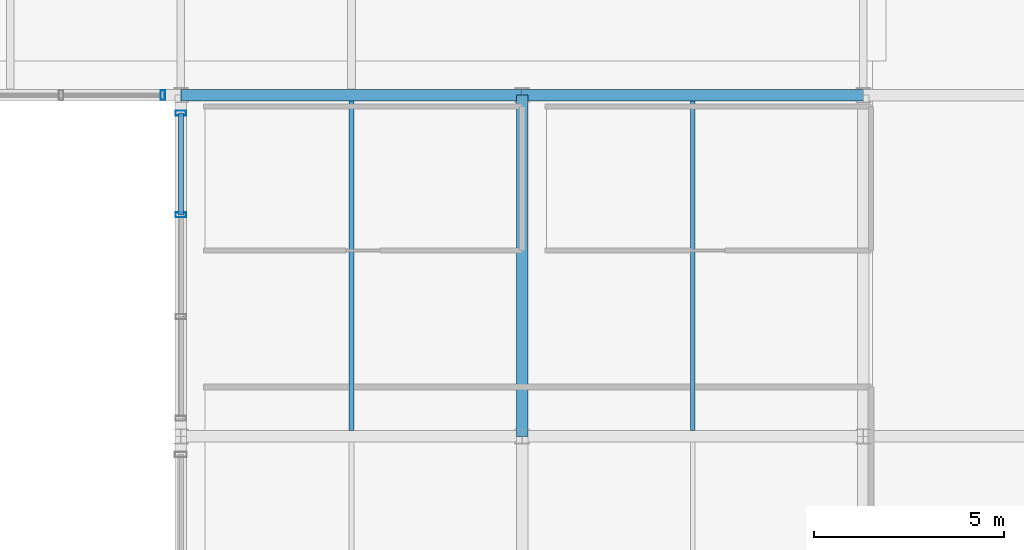
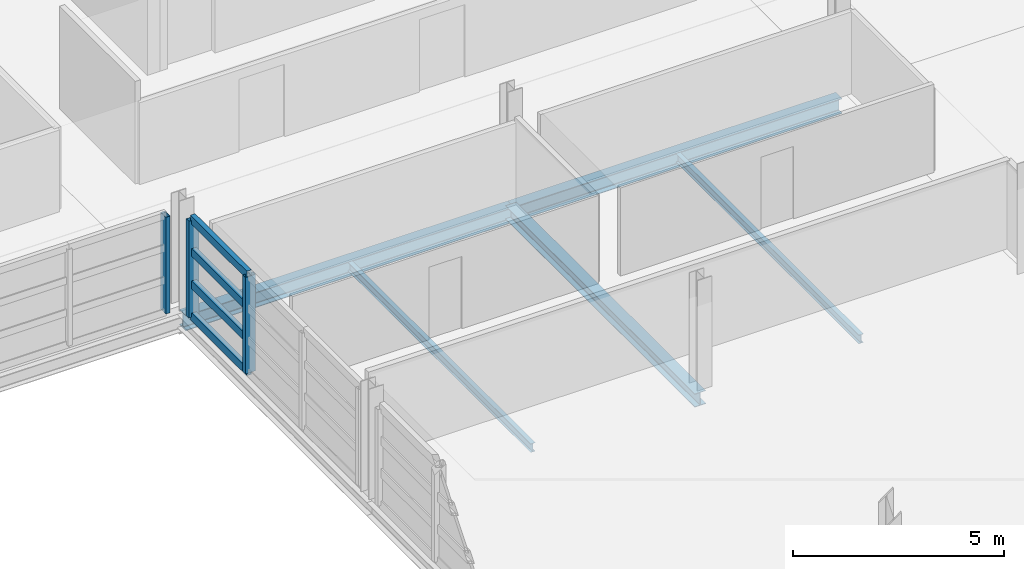
# One storey, part 48 of 86: 7 members, 5 beams, 2 elements without a shape of their own.
"""IFC4 building model written with IfcOpenShell, lengths in metres."""

from ifc_helpers import new_model, si_unit, direction, frame, origin, origin_2d, place, context, subcontext, project, spatial, hollow_rectangle, i_section, extrude, material, material_profile, profile_set, type_object, element, aggregate, save


model = new_model("IFC4")

# Units and contexts
model_context = context("Model", 3, precision=1e-05, world=origin(), true_north=direction((0.0, 1.0)))
body_context = subcontext(model_context, "Body", "Model", "MODEL_VIEW")
ifc_project = project(units=[si_unit("LENGTHUNIT", "METRE"), si_unit("AREAUNIT", "SQUARE_METRE"), si_unit("VOLUMEUNIT", "CUBIC_METRE"), si_unit("PLANEANGLEUNIT", "RADIAN"), si_unit("MASSUNIT", "GRAM", prefix="KILO")], contexts=[model_context])

# Site, building, storey
site_placement = place(None, origin())
site = spatial("IfcSite", under=ifc_project, at=site_placement, CompositionType="ELEMENT")
building_placement = place(site_placement, origin())
building = spatial("IfcBuilding", under=site, at=building_placement, Name="Chuanluo Vaults Station", CompositionType="ELEMENT")
storey_placement = place(building_placement, frame((0.0, 0.0, 14.39990234375)))
storey = spatial("IfcBuildingStorey", under=building, at=storey_placement, Name="L03", CompositionType="ELEMENT", Elevation=14.39990234375)

# Beams
ifc_material_1 = material(Name="Steel Q355C", Category="steel")
ifc_material_profile_1 = material_profile(ifc_material_1, i_section(OverallWidth=0.300048828125, OverallDepth=0.389892578125, WebThickness=0.010009765625, FlangeThickness=0.01611328125, FilletRadius=0.02001953125, at=origin_2d()))
ifc_profile_set_1 = profile_set([ifc_material_profile_1], Name="Steel Q355C")
beam_type_1 = type_object("IfcBeamType", Name="BM-GRD-400", PredefinedType="BEAM", material=ifc_profile_set_1)
beam_placement = place(storey_placement, frame((154.0, 94.5, -0.414794921875), z_axis=(0.0, 1.0, 0.0), x_axis=(-1.0, 0.0, 0.0)))
element("IfcBeam", 1, at=beam_placement, inside=storey, type_object=beam_type_1, Name="Floor girder BM:GY:L03:0802", PredefinedType="BEAM", context=body_context, shape_type="SweptSolid", body=[
    extrude(i_section(OverallWidth=0.300048828125, OverallDepth=0.389892578125, WebThickness=0.010009765625, FlangeThickness=0.01611328125, FilletRadius=0.02001953125, at=origin_2d()), origin(), (0.0, 0.0, 1.0), 9.0),
])
ifc_material_2 = material(Name="Steel Q355C", Category="steel")
ifc_material_profile_2 = material_profile(ifc_material_2, i_section(OverallWidth=0.300048828125, OverallDepth=0.43994140625, WebThickness=0.010986328125, FlangeThickness=0.01806640625, FilletRadius=0.02001953125, at=origin_2d()))
ifc_profile_set_2 = profile_set([ifc_material_profile_2], Name="Steel Q355C")
beam_type_2 = type_object("IfcBeamType", Name="BM-GRD-450", PredefinedType="USERDEFINED", material=ifc_profile_set_2)
for number, where, z_axis, x_axis, name in (
    (2, (145.0, 103.5, -0.43994140625), (1.0, 0.0, 0.0), (0.0, 1.0, 0.0), "Floor girder BM:GX:L03:0756"),
    (3, (154.0, 103.5, -0.43994140625), (1.0, 0.0, 0.0), (0.0, 1.0, 0.0), "Floor girder BM:GX:L03:0757"),
):
    element("IfcBeam", number, at=place(storey_placement, frame(where, z_axis=z_axis, x_axis=x_axis)), inside=storey, type_object=beam_type_2, Name=name, ObjectType="GIRDER", PredefinedType="USERDEFINED", context=body_context, shape_type="SweptSolid", body=[
        extrude(i_section(OverallWidth=0.300048828125, OverallDepth=0.43994140625, WebThickness=0.010986328125, FlangeThickness=0.01806640625, FilletRadius=0.02001953125, at=origin_2d()), origin(), (0.0, 0.0, 1.0), 9.0),
    ])
ifc_material_3 = material(Name="Steel Q355C", Category="steel")
ifc_material_profile_3 = material_profile(ifc_material_3, i_section(OverallWidth=0.125, OverallDepth=0.25, WebThickness=0.006103515625, FlangeThickness=0.009033203125, FilletRadius=0.011962890625, at=origin_2d()))
ifc_profile_set_3 = profile_set([ifc_material_profile_3], Name="Steel Q355C")
beam_type_3 = type_object("IfcBeamType", Name="BM-SEC-250", PredefinedType="JOIST", material=ifc_profile_set_3)
for number, where, z_axis, x_axis, name in (
    (4, (149.5, 94.655029296875, -0.344970703125), (0.0, 1.0, 0.0), (-1.0, 0.0, 0.0), "Composite secondary joist 0241"),
    (5, (158.5, 94.655029296875, -0.344970703125), (0.0, 1.0, 0.0), (-1.0, 0.0, 0.0), "Composite secondary joist 0248"),
):
    element("IfcBeam", number, at=place(storey_placement, frame(where, z_axis=z_axis, x_axis=x_axis)), inside=storey, type_object=beam_type_3, Name=name, PredefinedType="JOIST", context=body_context, shape_type="SweptSolid", body=[
        extrude(i_section(OverallWidth=0.125, OverallDepth=0.25, WebThickness=0.006103515625, FlangeThickness=0.009033203125, FilletRadius=0.011962890625, at=origin_2d()), origin(), (0.0, 0.0, 1.0), 8.68994140625),
    ])

# Curtain wall, member
ifc_material_4 = material(Name="Anodised aluminium 6063-T6", Category="aluminium")
curtain_wall_type_1 = type_object("IfcCurtainWallType", Name="CW-SYS-27", PredefinedType="NOTDEFINED", material=ifc_material_4)
curtain_wall_1_placement = place(storey_placement, origin())
curtain_wall_1 = element("IfcCurtainWall", 6, at=curtain_wall_1_placement, inside=storey, type_object=curtain_wall_type_1, Name="Operations L03 facade CW part 1", PredefinedType="NOTDEFINED")
ifc_material_5 = material(Name="Anodised aluminium 6063-T6", Category="aluminium")
ifc_material_profile_4 = material_profile(ifc_material_5, hollow_rectangle(XDim=0.1201171875, YDim=0.25, WallThickness=0.006103515625, at=origin_2d()))
ifc_profile_set_4 = profile_set([ifc_material_profile_4], Name="Anodised aluminium 6063-T6")
member_type_1 = type_object("IfcMemberType", Name="CWM-160", PredefinedType="MULLION", material=ifc_profile_set_4)
member_1_placement = place(storey_placement, frame((144.52490234375, 103.5, 0.0), z_axis=(0.0, 0.0, 1.0), x_axis=(-1.0, 0.0, 0.0)))
member_1 = element("IfcMember", 7, at=member_1_placement, type_object=member_type_1, Name="Operations L03 facade CW part 1 mullion 1", PredefinedType="MULLION", context=body_context, shape_type="SweptSolid", body=[
    extrude(hollow_rectangle(XDim=0.1201171875, YDim=0.25, WallThickness=0.006103515625, at=origin_2d()), origin(), (0.0, 0.0, 1.0), 2.800048828125),
])
aggregate(curtain_wall_1, [member_1])

# Curtain wall, members
ifc_material_6 = material(Name="Anodised aluminium 6063-T6", Category="aluminium")
curtain_wall_type_2 = type_object("IfcCurtainWallType", Name="CW-SYS-26", PredefinedType="NOTDEFINED", material=ifc_material_6)
curtain_wall_2_placement = place(storey_placement, origin())
curtain_wall_2 = element("IfcCurtainWall", 8, at=curtain_wall_2_placement, inside=storey, type_object=curtain_wall_type_2, Name="Operations L03 facade CW", PredefinedType="NOTDEFINED")
ifc_material_7 = material(Name="Anodised aluminium 6063-T6", Category="aluminium")
ifc_material_profile_5 = material_profile(ifc_material_7, hollow_rectangle(XDim=0.1298828125, YDim=0.280029296875, WallThickness=0.007080078125, at=origin_2d()))
ifc_profile_set_5 = profile_set([ifc_material_profile_5], Name="Anodised aluminium 6063-T6")
member_type_2 = type_object("IfcMemberType", Name="CWM-180", PredefinedType="MULLION", material=ifc_profile_set_5)
member_2_placement = place(storey_placement, frame((145.0, 100.341796875, 0.0), z_axis=(0.0, 0.0, 1.0), x_axis=(0.0, 1.0, 0.0)))
member_2 = element("IfcMember", 9, at=member_2_placement, type_object=member_type_2, Name="Operations L03 facade CW mullion 3", PredefinedType="MULLION", context=body_context, shape_type="SweptSolid", body=[
    extrude(hollow_rectangle(XDim=0.1298828125, YDim=0.280029296875, WallThickness=0.007080078125, at=origin_2d()), origin(), (0.0, 0.0, 1.0), 2.800048828125),
])
member_3_placement = place(storey_placement, frame((145.0, 103.02490234375, 0.0), z_axis=(0.0, 0.0, 1.0), x_axis=(0.0, 1.0, 0.0)))
member_3 = element("IfcMember", 10, at=member_3_placement, type_object=member_type_2, Name="Operations L03 facade CW mullion 4", PredefinedType="MULLION", context=body_context, shape_type="SweptSolid", body=[
    extrude(hollow_rectangle(XDim=0.1298828125, YDim=0.280029296875, WallThickness=0.007080078125, at=origin_2d()), origin(), (0.0, 0.0, 1.0), 2.800048828125),
])
ifc_material_8 = material(Name="Anodised aluminium 6063-T6", Category="aluminium")
ifc_material_profile_6 = material_profile(ifc_material_8, hollow_rectangle(XDim=0.1298828125, YDim=0.22998046875, WallThickness=0.006103515625, at=origin_2d()))
ifc_profile_set_6 = profile_set([ifc_material_profile_6], Name="Anodised aluminium 6063-T6")
member_type_3 = type_object("IfcMemberType", Name="CWT-150", PredefinedType="USERDEFINED", material=ifc_profile_set_6)
member_4_placement = place(storey_placement, frame((145.0, 100.341796875, 0.0), z_axis=(0.0, 1.0, 0.0), x_axis=(-1.0, 0.0, 0.0)))
member_4 = element("IfcMember", 11, at=member_4_placement, type_object=member_type_3, Name="Operations L03 facade CW transom 3.1", ObjectType="TRANSOM", PredefinedType="USERDEFINED", context=body_context, shape_type="SweptSolid", body=[
    extrude(hollow_rectangle(XDim=0.1298828125, YDim=0.22998046875, WallThickness=0.006103515625, at=origin_2d()), origin(), (0.0, 0.0, 1.0), 2.68310546875),
])
member_5_placement = place(storey_placement, frame((145.0, 100.341796875, 0.933349609375), z_axis=(0.0, 1.0, 0.0), x_axis=(-1.0, 0.0, 0.0)))
member_5 = element("IfcMember", 12, at=member_5_placement, type_object=member_type_3, Name="Operations L03 facade CW transom 3.2", ObjectType="TRANSOM", PredefinedType="USERDEFINED", context=body_context, shape_type="SweptSolid", body=[
    extrude(hollow_rectangle(XDim=0.1298828125, YDim=0.22998046875, WallThickness=0.006103515625, at=origin_2d()), origin(), (0.0, 0.0, 1.0), 2.68310546875),
])
member_6_placement = place(storey_placement, frame((145.0, 100.341796875, 1.86669921875), z_axis=(0.0, 1.0, 0.0), x_axis=(-1.0, 0.0, 0.0)))
member_6 = element("IfcMember", 13, at=member_6_placement, type_object=member_type_3, Name="Operations L03 facade CW transom 3.3", ObjectType="TRANSOM", PredefinedType="USERDEFINED", context=body_context, shape_type="SweptSolid", body=[
    extrude(hollow_rectangle(XDim=0.1298828125, YDim=0.22998046875, WallThickness=0.006103515625, at=origin_2d()), origin(), (0.0, 0.0, 1.0), 2.68310546875),
])
member_7_placement = place(storey_placement, frame((145.0, 100.341796875, 2.800048828125), z_axis=(0.0, 1.0, 0.0), x_axis=(-1.0, 0.0, 0.0)))
member_7 = element("IfcMember", 14, at=member_7_placement, type_object=member_type_3, Name="Operations L03 facade CW transom 3.4", ObjectType="TRANSOM", PredefinedType="USERDEFINED", context=body_context, shape_type="SweptSolid", body=[
    extrude(hollow_rectangle(XDim=0.1298828125, YDim=0.22998046875, WallThickness=0.006103515625, at=origin_2d()), origin(), (0.0, 0.0, 1.0), 2.68310546875),
])
aggregate(curtain_wall_2, [member_2, member_3, member_4, member_5, member_6, member_7])

save(model, "model.ifc")
